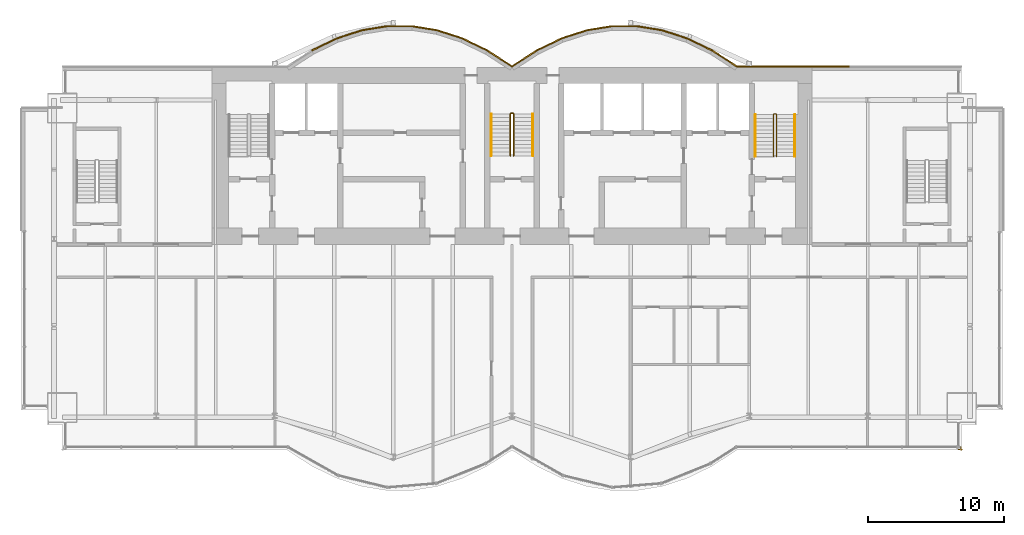
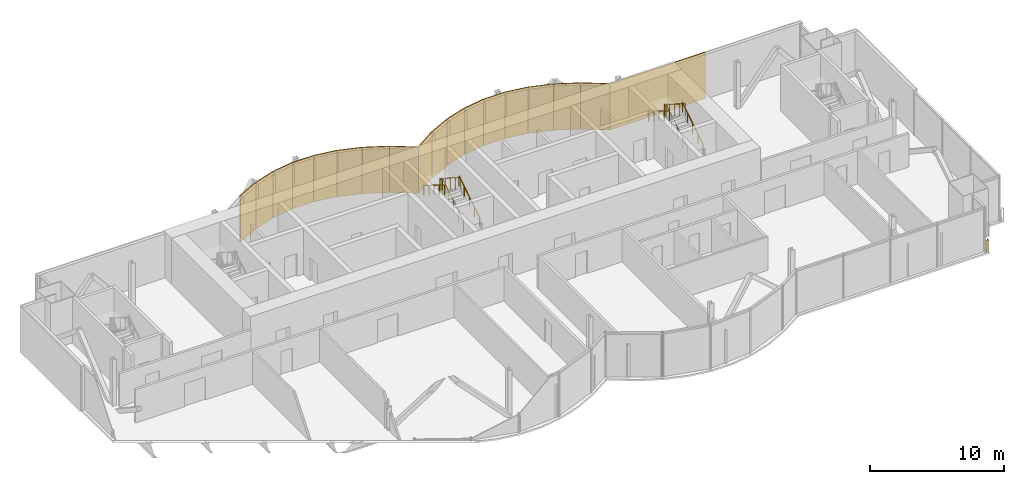
# One storey, part 18 of 19: 18 coverings, 7 railings.
"""IFC4 building model written with IfcOpenShell, lengths in metres."""

from ifc_helpers import new_model, si_unit, direction, frame, origin, origin_2d, place, context, subcontext, project, spatial, rectangle, circle, extrude, material, layer, layer_set, type_object, element, save


model = new_model("IFC4")

# Units and contexts
model_context = context("Model", 3, precision=1e-05, world=origin(), true_north=direction((0.0, 1.0)))
body_context = subcontext(model_context, "Body", "Model", "MODEL_VIEW")
ifc_project = project(units=[si_unit("LENGTHUNIT", "METRE"), si_unit("AREAUNIT", "SQUARE_METRE"), si_unit("VOLUMEUNIT", "CUBIC_METRE"), si_unit("PLANEANGLEUNIT", "RADIAN"), si_unit("MASSUNIT", "GRAM", prefix="KILO")], contexts=[model_context])

# Site, building, storey
site_placement = place(None, origin())
site = spatial("IfcSite", under=ifc_project, at=site_placement, CompositionType="ELEMENT")
building_placement = place(site_placement, origin())
building = spatial("IfcBuilding", under=site, at=building_placement, Name="Bicima Exchange Tower", CompositionType="ELEMENT")
storey_placement = place(building_placement, frame((0.0, 0.0, 279.199951171875)))
storey = spatial("IfcBuildingStorey", under=building, at=storey_placement, Name="L63", CompositionType="ELEMENT", Elevation=279.199951171875)

# Coverings
ifc_material_1 = material(Name="Bronze metal cladding")
ifc_layer_1 = layer(ifc_material_1, 0.004)
ifc_material_2 = material(Name="Ventilated cavity")
ifc_layer_2 = layer(ifc_material_2, 0.06)
ifc_material_3 = material(Name="Galvanised steel rail and mineral wool", Category="steel")
ifc_layer_3 = layer(ifc_material_3, 0.036)
ifc_layer_set = layer_set([ifc_layer_1, ifc_layer_2, ifc_layer_3], Name="Ventilated cavity")
covering_type = type_object("IfcCoveringType", Name="Bronze metal cladding panel 100", PredefinedType="CLADDING", material=ifc_layer_set)
covering_1_placement = place(storey_placement, frame((20.625, 0.050048828125, -0.14990234375), z_axis=(0.0, 0.0, 1.0), x_axis=(-1.0, 0.0, 0.0)))
element("IfcCovering", 1, at=covering_1_placement, inside=storey, type_object=covering_type, Name="Bronze cladding L63 1.2", PredefinedType="CLADDING", context=body_context, shape_type="SweptSolid", body=[
    extrude(rectangle(XDim=8.25, YDim=0.10009765625, at=origin_2d()), origin(), (0.0, 0.0, 1.0), 4.199951171875),
])
covering_2_placement = place(storey_placement, frame((15.610595703125, 0.634521484375, -0.14990234375), z_axis=(0.0, 0.0, 1.0), x_axis=(-0.839790466384, 0.542910648791, 0.0)))
element("IfcCovering", 2, at=covering_2_placement, inside=storey, type_object=covering_type, Name="Bronze cladding L63 2.1", PredefinedType="CLADDING", context=body_context, shape_type="SweptSolid", body=[
    extrude(rectangle(XDim=2.18310546875, YDim=0.10009765625, at=origin_2d()), origin(), (0.0, 0.0, 1.0), 4.199951171875),
])
covering_3_placement = place(storey_placement, frame((13.771728515625, 1.674560546875, -0.14990234375), z_axis=(0.0, 0.0, 1.0), x_axis=(-0.899818346812, 0.436264762204, 0.0)))
element("IfcCovering", 3, at=covering_3_placement, inside=storey, type_object=covering_type, Name="Bronze cladding L63 3.1", PredefinedType="CLADDING", context=body_context, shape_type="SweptSolid", body=[
    extrude(rectangle(XDim=2.03759765625, YDim=0.10009765625, at=origin_2d()), origin(), (0.0, 0.0, 1.0), 4.199951171875),
])
covering_4_placement = place(storey_placement, frame((11.931884765625, 2.41796875, -0.14990234375), z_axis=(0.0, 0.0, 1.0), x_axis=(-0.951524642381, 0.307572519808, 0.0)))
element("IfcCovering", 4, at=covering_4_placement, inside=storey, type_object=covering_type, Name="Bronze cladding L63 4.1", PredefinedType="CLADDING", context=body_context, shape_type="SweptSolid", body=[
    extrude(rectangle(XDim=1.9267578125, YDim=0.10009765625, at=origin_2d()), origin(), (0.0, 0.0, 1.0), 4.199951171875),
])
covering_5_placement = place(storey_placement, frame((10.09130859375, 2.8642578125, -0.14990234375), z_axis=(0.0, 0.0, 1.0), x_axis=(-0.987189786347, 0.159550386184, 0.0)))
element("IfcCovering", 5, at=covering_5_placement, inside=storey, type_object=covering_type, Name="Bronze cladding L63 5.1", PredefinedType="CLADDING", context=body_context, shape_type="SweptSolid", body=[
    extrude(rectangle(XDim=1.857177734375, YDim=0.10009765625, at=origin_2d()), origin(), (0.0, 0.0, 1.0), 4.199951171875),
])
covering_6_placement = place(storey_placement, frame((8.25, 3.012939453125, -0.14990234375), z_axis=(0.0, 0.0, 1.0), x_axis=(-1.0, 0.0, 0.0)))
element("IfcCovering", 6, at=covering_6_placement, inside=storey, type_object=covering_type, Name="Bronze cladding L63 6.1", PredefinedType="CLADDING", context=body_context, shape_type="SweptSolid", body=[
    extrude(rectangle(XDim=1.83349609375, YDim=0.10009765625, at=origin_2d()), origin(), (0.0, 0.0, 1.0), 4.199951171875),
])
covering_7_placement = place(storey_placement, frame((6.40869140625, 2.8642578125, -0.14990234375), z_axis=(0.0, 0.0, 1.0), x_axis=(-0.987189786347, -0.159550386184, 0.0)))
element("IfcCovering", 7, at=covering_7_placement, inside=storey, type_object=covering_type, Name="Bronze cladding L63 7.1", PredefinedType="CLADDING", context=body_context, shape_type="SweptSolid", body=[
    extrude(rectangle(XDim=1.857177734375, YDim=0.10009765625, at=origin_2d()), origin(), (0.0, 0.0, 1.0), 4.199951171875),
])
covering_8_placement = place(storey_placement, frame((4.568115234375, 2.41796875, -0.14990234375), z_axis=(0.0, 0.0, 1.0), x_axis=(-0.951524642381, -0.307572519808, 0.0)))
element("IfcCovering", 8, at=covering_8_placement, inside=storey, type_object=covering_type, Name="Bronze cladding L63 8.1", PredefinedType="CLADDING", context=body_context, shape_type="SweptSolid", body=[
    extrude(rectangle(XDim=1.9267578125, YDim=0.10009765625, at=origin_2d()), origin(), (0.0, 0.0, 1.0), 4.199951171875),
])
covering_9_placement = place(storey_placement, frame((2.728271484375, 1.674560546875, -0.14990234375), z_axis=(0.0, 0.0, 1.0), x_axis=(-0.899818346812, -0.436264762204, 0.0)))
element("IfcCovering", 9, at=covering_9_placement, inside=storey, type_object=covering_type, Name="Bronze cladding L63 9.1", PredefinedType="CLADDING", context=body_context, shape_type="SweptSolid", body=[
    extrude(rectangle(XDim=2.03759765625, YDim=0.10009765625, at=origin_2d()), origin(), (0.0, 0.0, 1.0), 4.199951171875),
])
for number, where, z_axis, x_axis, name in (
    (10, (0.889404296875, 0.634521484375, -0.14990234375), (0.0, 0.0, 1.0), (-0.839790466384, -0.542910648791, 0.0), "Bronze cladding L63 10.1"),
    (11, (-0.889404296875, 0.634521484375, -0.14990234375), (0.0, 0.0, 1.0), (-0.839790466384, 0.542910648791, 0.0), "Bronze cladding L63 11.1"),
):
    element("IfcCovering", number, at=place(storey_placement, frame(where, z_axis=z_axis, x_axis=x_axis)), inside=storey, type_object=covering_type, Name=name, PredefinedType="CLADDING", context=body_context, shape_type="SweptSolid", body=[
        extrude(rectangle(XDim=2.18310546875, YDim=0.10009765625, at=origin_2d()), origin(), (0.0, 0.0, 1.0), 4.199951171875),
    ])
covering_10_placement = place(storey_placement, frame((-2.728271484375, 1.674560546875, -0.14990234375), z_axis=(0.0, 0.0, 1.0), x_axis=(-0.899818346812, 0.436264762204, 0.0)))
element("IfcCovering", 12, at=covering_10_placement, inside=storey, type_object=covering_type, Name="Bronze cladding L63 12.1", PredefinedType="CLADDING", context=body_context, shape_type="SweptSolid", body=[
    extrude(rectangle(XDim=2.03759765625, YDim=0.10009765625, at=origin_2d()), origin(), (0.0, 0.0, 1.0), 4.199951171875),
])
covering_11_placement = place(storey_placement, frame((-4.568115234375, 2.41796875, -0.14990234375), z_axis=(0.0, 0.0, 1.0), x_axis=(-0.951524642381, 0.307572519808, 0.0)))
element("IfcCovering", 13, at=covering_11_placement, inside=storey, type_object=covering_type, Name="Bronze cladding L63 13.1", PredefinedType="CLADDING", context=body_context, shape_type="SweptSolid", body=[
    extrude(rectangle(XDim=1.9267578125, YDim=0.10009765625, at=origin_2d()), origin(), (0.0, 0.0, 1.0), 4.199951171875),
])
covering_12_placement = place(storey_placement, frame((-6.40869140625, 2.8642578125, -0.14990234375), z_axis=(0.0, 0.0, 1.0), x_axis=(-0.987189786347, 0.159550386184, 0.0)))
element("IfcCovering", 14, at=covering_12_placement, inside=storey, type_object=covering_type, Name="Bronze cladding L63 14.1", PredefinedType="CLADDING", context=body_context, shape_type="SweptSolid", body=[
    extrude(rectangle(XDim=1.857177734375, YDim=0.10009765625, at=origin_2d()), origin(), (0.0, 0.0, 1.0), 4.199951171875),
])
covering_13_placement = place(storey_placement, frame((-8.25, 3.012939453125, -0.14990234375), z_axis=(0.0, 0.0, 1.0), x_axis=(-1.0, 0.0, 0.0)))
element("IfcCovering", 15, at=covering_13_placement, inside=storey, type_object=covering_type, Name="Bronze cladding L63 15.1", PredefinedType="CLADDING", context=body_context, shape_type="SweptSolid", body=[
    extrude(rectangle(XDim=1.83349609375, YDim=0.10009765625, at=origin_2d()), origin(), (0.0, 0.0, 1.0), 4.199951171875),
])
covering_14_placement = place(storey_placement, frame((-10.09130859375, 2.8642578125, -0.14990234375), z_axis=(0.0, 0.0, 1.0), x_axis=(-0.987189786347, -0.159550386184, 0.0)))
element("IfcCovering", 16, at=covering_14_placement, inside=storey, type_object=covering_type, Name="Bronze cladding L63 16.1", PredefinedType="CLADDING", context=body_context, shape_type="SweptSolid", body=[
    extrude(rectangle(XDim=1.857177734375, YDim=0.10009765625, at=origin_2d()), origin(), (0.0, 0.0, 1.0), 4.199951171875),
])
covering_15_placement = place(storey_placement, frame((-11.931884765625, 2.41796875, -0.14990234375), z_axis=(0.0, 0.0, 1.0), x_axis=(-0.951524642381, -0.307572519808, 0.0)))
element("IfcCovering", 17, at=covering_15_placement, inside=storey, type_object=covering_type, Name="Bronze cladding L63 17.1", PredefinedType="CLADDING", context=body_context, shape_type="SweptSolid", body=[
    extrude(rectangle(XDim=1.9267578125, YDim=0.10009765625, at=origin_2d()), origin(), (0.0, 0.0, 1.0), 4.199951171875),
])
covering_16_placement = place(storey_placement, frame((-13.771728515625, 1.674560546875, -0.14990234375), z_axis=(0.0, 0.0, 1.0), x_axis=(-0.899818346812, -0.436264762204, 0.0)))
element("IfcCovering", 18, at=covering_16_placement, inside=storey, type_object=covering_type, Name="Bronze cladding L63 18.1", PredefinedType="CLADDING", context=body_context, shape_type="SweptSolid", body=[
    extrude(rectangle(XDim=2.03759765625, YDim=0.10009765625, at=origin_2d()), origin(), (0.0, 0.0, 1.0), 4.199951171875),
])

# Railings
ifc_material_4 = material(Name="Stainless steel and bonded safety glass", Category="steel")
railing_type_1 = type_object("IfcRailingType", Name="Edge guard 1100", PredefinedType="GUARDRAIL", material=ifc_material_4)
railing_1_placement = place(storey_placement, frame((32.949951171875, -27.85400390625, 0.0)))
element("IfcRailing", 19, at=railing_1_placement, inside=storey, type_object=railing_type_1, Name="Edge guard L63 328", PredefinedType="GUARDRAIL", context=body_context, shape_type="SweptSolid", body=[
    extrude(circle(Radius=0.02392578125, at=origin_2d()), frame((0.0, 0.0, 1.076171875), z_axis=(0.0, -1.0, 0.0), x_axis=(1.0, 0.0, 0.0)), (0.0, 0.0, 1.0), 0.238037109375),
    extrude(circle(Radius=0.02392578125, at=origin_2d()), frame((0.0, -0.238037109375, 1.076171875), z_axis=(0.707106781187, 0.707106781187, 0.0), x_axis=(-0.707106781187, 0.707106781187, 0.0)), (0.0, 0.0, 1.0), 0.07080078125),
    extrude(circle(Radius=0.02392578125, at=origin_2d()), frame((0.050048828125, -0.18798828125, 1.076171875), z_axis=(-1.0, 0.0, 0.0), x_axis=(0.0, -1.0, 0.0)), (0.0, 0.0, 1.0), 0.25),
    extrude(circle(Radius=0.02099609375, at=origin_2d()), origin(), (0.0, 0.0, 1.0), 1.052001953125),
    extrude(circle(Radius=0.02099609375, at=origin_2d()), frame((0.0, -0.238037109375, 0.0)), (0.0, 0.0, 1.0), 1.052001953125),
    extrude(circle(Radius=0.02099609375, at=origin_2d()), frame((0.050048828125, -0.18798828125, 0.0)), (0.0, 0.0, 1.0), 1.052001953125),
    extrude(circle(Radius=0.02099609375, at=origin_2d()), frame((-0.199951171875, -0.18798828125, 0.0)), (0.0, 0.0, 1.0), 1.052001953125),
])
ifc_material_5 = material(Name="Stainless steel", Category="steel")
railing_type_2 = type_object("IfcRailingType", Name="Stair guard 1100", PredefinedType="GUARDRAIL", material=ifc_material_5)
railing_2_placement = place(storey_placement, frame((0.125, -6.5, 0.175048828125)))
element("IfcRailing", 20, at=railing_2_placement, inside=storey, type_object=railing_type_2, Name="L63 ST-C stair guard 1", PredefinedType="GUARDRAIL", context=body_context, shape_type="SweptSolid", body=[
    extrude(circle(Radius=0.02392578125, at=origin_2d()), frame((0.0, 0.0, 1.076171875), z_axis=(0.0, 0.847998304005, 0.529998940003), x_axis=(-1.0, 0.0, 0.0)), (0.0, 0.0, 1.0), 3.632080078125),
    extrude(circle(Radius=0.02392578125, at=origin_2d()), frame((0.0, 3.080078125, 3.0009765625), z_axis=(-0.708833529934, 0.705375805398, 0.0), x_axis=(-0.705375805398, -0.708833529934, 0.0)), (0.0, 0.0, 1.0), 0.070556640625),
    extrude(circle(Radius=0.02392578125, at=origin_2d()), frame((-0.050048828125, 3.1298828125, 3.0009765625), z_axis=(-1.0, 0.0, 0.0), x_axis=(0.0, -1.0, 0.0)), (0.0, 0.0, 1.0), 0.14990234375),
    extrude(circle(Radius=0.02392578125, at=origin_2d()), frame((-0.199951171875, 3.1298828125, 3.0009765625), z_axis=(-0.265155923931, -0.263862480399, 0.927399011991), x_axis=(0.705375805398, -0.708833529934, 0.0)), (0.0, 0.0, 1.0), 0.188720703125),
    extrude(circle(Radius=0.02392578125, at=origin_2d()), frame((-0.25, 3.080078125, 3.17626953125), z_axis=(0.0, -0.848028513186, 0.529950602248), x_axis=(1.0, 0.0, 0.0)), (0.0, 0.0, 1.0), 3.632080078125),
    extrude(circle(Radius=0.02099609375, at=origin_2d()), origin(), (0.0, 0.0, 1.0), 1.052001953125),
    extrude(circle(Radius=0.02099609375, at=origin_2d()), frame((0.0, 0.77001953125, 0.481201171875)), (0.0, 0.0, 1.0), 1.052001953125),
    extrude(circle(Radius=0.02099609375, at=origin_2d()), frame((0.0, 1.5400390625, 0.96240234375)), (0.0, 0.0, 1.0), 1.052001953125),
    extrude(circle(Radius=0.02099609375, at=origin_2d()), frame((0.0, 2.31005859375, 1.44384765625)), (0.0, 0.0, 1.0), 1.052001953125),
    extrude(circle(Radius=0.02099609375, at=origin_2d()), frame((0.0, 3.080078125, 1.925048828125)), (0.0, 0.0, 1.0), 1.052001953125),
    extrude(circle(Radius=0.02099609375, at=origin_2d()), frame((-0.050048828125, 3.1298828125, 1.925048828125)), (0.0, 0.0, 1.0), 1.052001953125),
    extrude(circle(Radius=0.02099609375, at=origin_2d()), frame((-0.199951171875, 3.1298828125, 1.925048828125)), (0.0, 0.0, 1.0), 1.052001953125),
    extrude(circle(Radius=0.02099609375, at=origin_2d()), frame((-0.25, 3.080078125, 2.10009765625)), (0.0, 0.0, 1.0), 1.052001953125),
    extrude(circle(Radius=0.02099609375, at=origin_2d()), frame((-0.25, 2.31005859375, 2.581298828125)), (0.0, 0.0, 1.0), 1.052001953125),
    extrude(circle(Radius=0.02099609375, at=origin_2d()), frame((-0.25, 1.5400390625, 3.0625)), (0.0, 0.0, 1.0), 1.052001953125),
    extrude(circle(Radius=0.02099609375, at=origin_2d()), frame((-0.25, 0.77001953125, 3.543701171875)), (0.0, 0.0, 1.0), 1.052001953125),
    extrude(circle(Radius=0.02099609375, at=origin_2d()), frame((-0.25, 0.0, 4.02490234375)), (0.0, 0.0, 1.0), 1.052001953125),
])
railing_3_placement = place(storey_placement, frame((19.39990234375, -6.550048828125, 0.175048828125)))
element("IfcRailing", 21, at=railing_3_placement, inside=storey, type_object=railing_type_2, Name="L63 ST-E stair guard 1", PredefinedType="GUARDRAIL", context=body_context, shape_type="SweptSolid", body=[
    extrude(circle(Radius=0.02392578125, at=origin_2d()), frame((0.0, 0.0, 1.076171875), z_axis=(0.0, 0.847998304005, 0.529998940003), x_axis=(-1.0, 0.0, 0.0)), (0.0, 0.0, 1.0), 3.632080078125),
    extrude(circle(Radius=0.02392578125, at=origin_2d()), frame((0.0, 3.080078125, 3.0009765625), z_axis=(-0.705375805398, 0.708833529934, 0.0), x_axis=(-0.708833529934, -0.705375805398, 0.0)), (0.0, 0.0, 1.0), 0.070556640625),
    extrude(circle(Radius=0.02392578125, at=origin_2d()), frame((-0.0498046875, 3.130126953125, 3.0009765625), z_axis=(-1.0, 0.0, 0.0), x_axis=(0.0, -1.0, 0.0)), (0.0, 0.0, 1.0), 0.10009765625),
    extrude(circle(Radius=0.02392578125, at=origin_2d()), frame((-0.14990234375, 3.130126953125, 3.0009765625), z_axis=(-0.265065253269, -0.265065253269, 0.927081885822), x_axis=(0.707106781187, -0.707106781187, 0.0)), (0.0, 0.0, 1.0), 0.188720703125),
    extrude(circle(Radius=0.02392578125, at=origin_2d()), frame((-0.199951171875, 3.080078125, 3.17626953125), z_axis=(0.0, -0.848028513186, 0.529950602248), x_axis=(1.0, 0.0, 0.0)), (0.0, 0.0, 1.0), 3.632080078125),
    extrude(circle(Radius=0.02099609375, at=origin_2d()), origin(), (0.0, 0.0, 1.0), 1.052001953125),
    extrude(circle(Radius=0.02099609375, at=origin_2d()), frame((0.0, 0.77001953125, 0.481201171875)), (0.0, 0.0, 1.0), 1.052001953125),
    extrude(circle(Radius=0.02099609375, at=origin_2d()), frame((0.0, 1.5400390625, 0.96240234375)), (0.0, 0.0, 1.0), 1.052001953125),
    extrude(circle(Radius=0.02099609375, at=origin_2d()), frame((0.0, 2.31005859375, 1.44384765625)), (0.0, 0.0, 1.0), 1.052001953125),
    extrude(circle(Radius=0.02099609375, at=origin_2d()), frame((0.0, 3.080078125, 1.925048828125)), (0.0, 0.0, 1.0), 1.052001953125),
    extrude(circle(Radius=0.02099609375, at=origin_2d()), frame((-0.0498046875, 3.130126953125, 1.925048828125)), (0.0, 0.0, 1.0), 1.052001953125),
    extrude(circle(Radius=0.02099609375, at=origin_2d()), frame((-0.14990234375, 3.130126953125, 1.925048828125)), (0.0, 0.0, 1.0), 1.052001953125),
    extrude(circle(Radius=0.02099609375, at=origin_2d()), frame((-0.199951171875, 3.080078125, 2.10009765625)), (0.0, 0.0, 1.0), 1.052001953125),
    extrude(circle(Radius=0.02099609375, at=origin_2d()), frame((-0.199951171875, 2.31005859375, 2.581298828125)), (0.0, 0.0, 1.0), 1.052001953125),
    extrude(circle(Radius=0.02099609375, at=origin_2d()), frame((-0.199951171875, 1.5400390625, 3.0625)), (0.0, 0.0, 1.0), 1.052001953125),
    extrude(circle(Radius=0.02099609375, at=origin_2d()), frame((-0.199951171875, 0.77001953125, 3.543701171875)), (0.0, 0.0, 1.0), 1.052001953125),
    extrude(circle(Radius=0.02099609375, at=origin_2d()), frame((-0.199951171875, 0.0, 4.02490234375)), (0.0, 0.0, 1.0), 1.052001953125),
])
railing_type_3 = type_object("IfcRailingType", Name="Stair handrail 900", PredefinedType="HANDRAIL", material=ifc_material_5)
railing_4_placement = place(storey_placement, frame((1.52490234375, -6.5, 0.175048828125)))
element("IfcRailing", 22, at=railing_4_placement, inside=storey, type_object=railing_type_3, Name="L63 ST-C stair handrail 1", PredefinedType="HANDRAIL", context=body_context, shape_type="SweptSolid", body=[
    extrude(circle(Radius=0.02392578125, at=origin_2d()), frame((0.0, 0.0, 0.8759765625), z_axis=(0.0, 0.847998304005, 0.529998940003), x_axis=(-1.0, 0.0, 0.0)), (0.0, 0.0, 1.0), 3.632080078125),
    extrude(circle(Radius=0.02099609375, at=origin_2d()), origin(), (0.0, 0.0, 1.0), 0.851806640625),
    extrude(circle(Radius=0.02099609375, at=origin_2d()), frame((0.0, 0.77001953125, 0.481201171875)), (0.0, 0.0, 1.0), 0.851806640625),
    extrude(circle(Radius=0.02099609375, at=origin_2d()), frame((0.0, 1.5400390625, 0.96240234375)), (0.0, 0.0, 1.0), 0.851806640625),
    extrude(circle(Radius=0.02099609375, at=origin_2d()), frame((0.0, 2.31005859375, 1.44384765625)), (0.0, 0.0, 1.0), 0.851806640625),
    extrude(circle(Radius=0.02099609375, at=origin_2d()), frame((0.0, 3.080078125, 1.925048828125)), (0.0, 0.0, 1.0), 0.851806640625),
])
railing_5_placement = place(storey_placement, frame((-1.52490234375, -3.419921875, 2.303955078125)))
element("IfcRailing", 23, at=railing_5_placement, inside=storey, type_object=railing_type_3, Name="L63 ST-C stair handrail 2", PredefinedType="HANDRAIL", context=body_context, shape_type="SweptSolid", body=[
    extrude(circle(Radius=0.02392578125, at=origin_2d()), frame((0.0, 0.0, 0.8759765625), z_axis=(0.0, -0.847998304005, 0.529998940003), x_axis=(1.0, 0.0, 0.0)), (0.0, 0.0, 1.0), 3.632080078125),
    extrude(circle(Radius=0.02099609375, at=origin_2d()), origin(), (0.0, 0.0, 1.0), 0.851806640625),
    extrude(circle(Radius=0.02099609375, at=origin_2d()), frame((0.0, -0.77001953125, 0.481201171875)), (0.0, 0.0, 1.0), 0.851806640625),
    extrude(circle(Radius=0.02099609375, at=origin_2d()), frame((0.0, -1.5400390625, 0.96240234375)), (0.0, 0.0, 1.0), 0.851806640625),
    extrude(circle(Radius=0.02099609375, at=origin_2d()), frame((0.0, -2.31005859375, 1.44384765625)), (0.0, 0.0, 1.0), 0.851806640625),
    extrude(circle(Radius=0.02099609375, at=origin_2d()), frame((0.0, -3.080078125, 1.925048828125)), (0.0, 0.0, 1.0), 0.851806640625),
])
railing_6_placement = place(storey_placement, frame((20.75, -6.550048828125, 0.175048828125)))
element("IfcRailing", 24, at=railing_6_placement, inside=storey, type_object=railing_type_3, Name="L63 ST-E stair handrail 1", PredefinedType="HANDRAIL", context=body_context, shape_type="SweptSolid", body=[
    extrude(circle(Radius=0.02392578125, at=origin_2d()), frame((0.0, 0.0, 0.8759765625), z_axis=(0.0, 0.847998304005, 0.529998940003), x_axis=(-1.0, 0.0, 0.0)), (0.0, 0.0, 1.0), 3.632080078125),
    extrude(circle(Radius=0.02099609375, at=origin_2d()), origin(), (0.0, 0.0, 1.0), 0.851806640625),
    extrude(circle(Radius=0.02099609375, at=origin_2d()), frame((0.0, 0.77001953125, 0.481201171875)), (0.0, 0.0, 1.0), 0.851806640625),
    extrude(circle(Radius=0.02099609375, at=origin_2d()), frame((0.0, 1.5400390625, 0.96240234375)), (0.0, 0.0, 1.0), 0.851806640625),
    extrude(circle(Radius=0.02099609375, at=origin_2d()), frame((0.0, 2.31005859375, 1.44384765625)), (0.0, 0.0, 1.0), 0.851806640625),
    extrude(circle(Radius=0.02099609375, at=origin_2d()), frame((0.0, 3.080078125, 1.925048828125)), (0.0, 0.0, 1.0), 0.851806640625),
])
railing_7_placement = place(storey_placement, frame((17.85009765625, -3.469970703125, 2.303955078125)))
element("IfcRailing", 25, at=railing_7_placement, inside=storey, type_object=railing_type_3, Name="L63 ST-E stair handrail 2", PredefinedType="HANDRAIL", context=body_context, shape_type="SweptSolid", body=[
    extrude(circle(Radius=0.02392578125, at=origin_2d()), frame((0.0, 0.0, 0.8759765625), z_axis=(0.0, -0.847998304005, 0.529998940003), x_axis=(1.0, 0.0, 0.0)), (0.0, 0.0, 1.0), 3.632080078125),
    extrude(circle(Radius=0.02099609375, at=origin_2d()), origin(), (0.0, 0.0, 1.0), 0.851806640625),
    extrude(circle(Radius=0.02099609375, at=origin_2d()), frame((0.0, -0.77001953125, 0.481201171875)), (0.0, 0.0, 1.0), 0.851806640625),
    extrude(circle(Radius=0.02099609375, at=origin_2d()), frame((0.0, -1.5400390625, 0.96240234375)), (0.0, 0.0, 1.0), 0.851806640625),
    extrude(circle(Radius=0.02099609375, at=origin_2d()), frame((0.0, -2.31005859375, 1.44384765625)), (0.0, 0.0, 1.0), 0.851806640625),
    extrude(circle(Radius=0.02099609375, at=origin_2d()), frame((0.0, -3.080078125, 1.925048828125)), (0.0, 0.0, 1.0), 0.851806640625),
])

save(model, "model.ifc")
